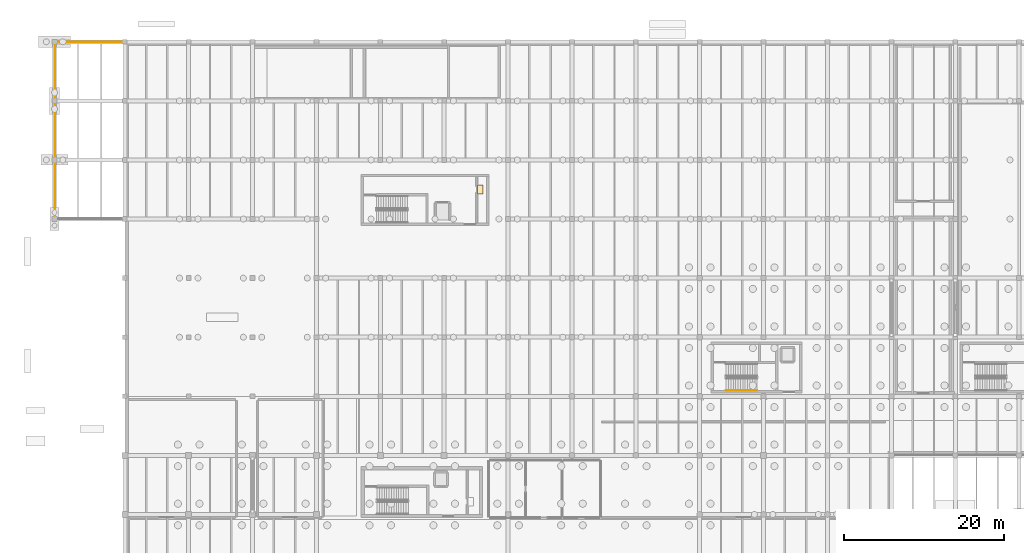
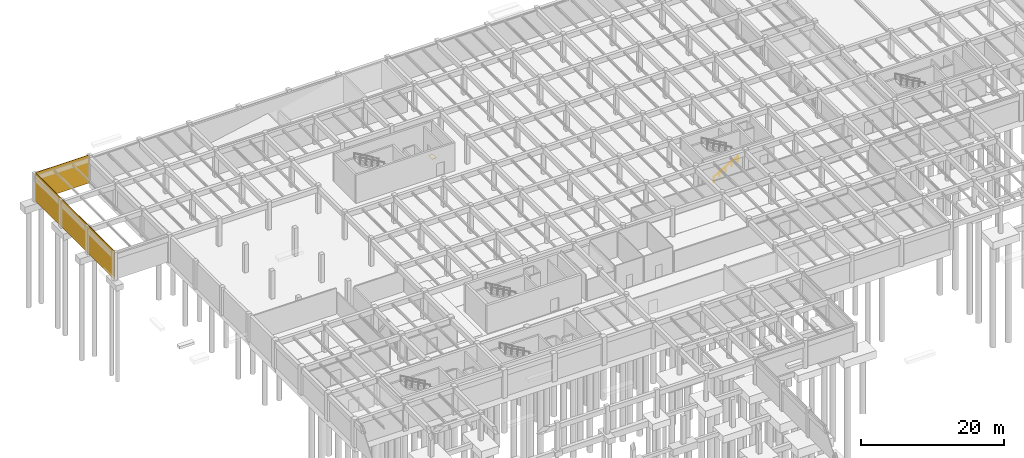
# One storey, part 34 of 40: 3 coverings, 1 railing.
"""IFC4 building model written with IfcOpenShell, lengths in metres."""

import ifcopenshell
import ifcopenshell.guid

model = None  # the IFC model being written
_history = None  # IfcOwnerHistory: only IFC2X3 demands one
_inside = {}  # id of a spatial element -> (the spatial element, [elements in it])
_under = {}  # id of a project, library or spatial element -> (it, [spatial elements below it])
_declared = {}  # id of a project -> (the project, [libraries it declares])
_typed = {}  # id of a type object -> (the type object, [elements of that type])
_made_of = {}  # id of a material, layer set ... -> (it, [elements and type objects made of it])


def new_model(schema):
    """Start an empty IFC model of exactly this schema.

    Asked for "IFC4X3", IfcOpenShell would pick the latest addendum, in which some entities
    have other attributes; the version numbers below select the first issue.
    IFC2X3 requires an IfcOwnerHistory on every rooted entity: one is made here for all.
    """
    global model, _history
    if schema == "IFC4X3":
        model = ifcopenshell.file(schema_version=(4, 3, 0, 0))
    else:
        model = ifcopenshell.file(schema=schema)
    _inside.clear()
    _under.clear()
    _declared.clear()
    _typed.clear()
    _made_of.clear()
    _history = None
    if model.schema == "IFC2X3":
        org = make("IfcOrganization", Name="unknown")
        user = make(
            "IfcPersonAndOrganization",
            ThePerson=make("IfcPerson", FamilyName="unknown"),
            TheOrganization=org,
        )
        app = make(
            "IfcApplication",
            ApplicationDeveloper=org,
            Version="unknown",
            ApplicationFullName="unknown",
            ApplicationIdentifier="unknown",
        )
        _history = make(
            "IfcOwnerHistory",
            OwningUser=user,
            OwningApplication=app,
            ChangeAction="ADDED",
            CreationDate=0,
        )
    return model


def make(cls, **values):
    """One entity of the class cls with the attributes given. An attribute that is None is left unset."""
    return model.create_entity(
        cls, **{name: value for name, value in values.items() if value is not None}
    )


def rooted(cls, **values):
    """An entity with a GlobalId (a new one), such as an element, a storey or a relation."""
    return make(cls, GlobalId=ifcopenshell.guid.new(), OwnerHistory=_history, **values)


def si_unit(unit_type, name, prefix=None):
    """IfcSIUnit, for example si_unit("LENGTHUNIT", "METRE", prefix="MILLI")."""
    return make("IfcSIUnit", UnitType=unit_type, Prefix=prefix, Name=name)


def assignment(units):
    """IfcUnitAssignment: the units of a project."""
    return None if units is None else make("IfcUnitAssignment", Units=units)


def point(xyz):
    """IfcCartesianPoint."""
    return None if xyz is None else make("IfcCartesianPoint", Coordinates=xyz)


def direction(xyz):
    """IfcDirection."""
    return None if xyz is None else make("IfcDirection", DirectionRatios=xyz)


def frame(location, z_axis=None, x_axis=None):
    """IfcAxis2Placement3D, a coordinate frame: its origin and axes. An axis left out is left unset."""
    return make(
        "IfcAxis2Placement3D",
        Location=point(location),
        Axis=direction(z_axis),
        RefDirection=direction(x_axis),
    )


def frame_2d(location, x_axis=None):
    """IfcAxis2Placement2D, a coordinate frame in the plane: its origin and x axis."""
    return make(
        "IfcAxis2Placement2D", Location=point(location), RefDirection=direction(x_axis)
    )


def origin():
    """The frame at (0, 0, 0) with its axes left unset."""
    return frame((0.0, 0.0, 0.0))


def origin_2d():
    """The frame at (0, 0) in the plane with its x axis left unset."""
    return frame_2d((0.0, 0.0))


def place(relative_to, where):
    """IfcLocalPlacement: puts the frame where relative to a parent placement (None: the world)."""
    return make(
        "IfcLocalPlacement", PlacementRelTo=relative_to, RelativePlacement=where
    )


def context(
    kind, dimensions, precision=None, world=None, true_north=None, identifier=None
):
    """IfcGeometricRepresentationContext, for example the 3D "Model" context."""
    return make(
        "IfcGeometricRepresentationContext",
        ContextIdentifier=identifier,
        ContextType=kind,
        CoordinateSpaceDimension=dimensions,
        Precision=precision,
        WorldCoordinateSystem=world,
        TrueNorth=true_north,
    )


def subcontext(parent, identifier, kind, view, scale=None):
    """IfcGeometricRepresentationSubContext, for example "Body" below "Model"."""
    return make(
        "IfcGeometricRepresentationSubContext",
        ContextIdentifier=identifier,
        ContextType=kind,
        ParentContext=parent,
        TargetScale=scale,
        TargetView=view,
    )


def project(units=None, contexts=None):
    """IfcProject with its units and contexts."""
    return rooted(
        "IfcProject",
        Name="project",
        RepresentationContexts=contexts,
        UnitsInContext=assignment(units),
    )


def spatial(cls, under=None, at=None, **own):
    """A site, building, storey or space (cls), placed at a placement, below another one or the project."""
    s = rooted(cls, ObjectPlacement=at, **own)
    if under is not None:
        _under.setdefault(under.id(), (under, []))[1].append(s)
    return s


def polyline(points):
    """IfcPolyline through the points."""
    return make("IfcPolyline", Points=[point(p) for p in points])


def profile(cls, at=None, kind="AREA", **sizes):
    """A parametric profile (cls). Its sizes go by their IFC names, for example OverallWidth=200.0."""
    return make(cls, ProfileType=kind, Position=at, **sizes)


def rectangle(**sizes):
    """IfcRectangleProfileDef."""
    return profile("IfcRectangleProfileDef", **sizes)


def circle(**sizes):
    """IfcCircleProfileDef."""
    return profile("IfcCircleProfileDef", **sizes)


def outline(outer, holes=None, kind="AREA"):
    """IfcArbitraryClosedProfileDef: a profile drawn as a closed curve; with holes, ...WithVoids."""
    if holes is None:
        return make("IfcArbitraryClosedProfileDef", ProfileType=kind, OuterCurve=outer)
    return make(
        "IfcArbitraryProfileDefWithVoids",
        ProfileType=kind,
        OuterCurve=outer,
        InnerCurves=holes,
    )


def extrude(swept, where, along, depth):
    """IfcExtrudedAreaSolid: the profile swept, set in the frame where, extruded along a direction by depth."""
    return make(
        "IfcExtrudedAreaSolid",
        SweptArea=swept,
        Position=where,
        ExtrudedDirection=direction(along),
        Depth=depth,
    )


def shape(context_of_items, identifier, shape_type, items):
    """IfcShapeRepresentation: the items that make up one representation, for example the "Body"."""
    return make(
        "IfcShapeRepresentation",
        ContextOfItems=context_of_items,
        RepresentationIdentifier=identifier,
        RepresentationType=shape_type,
        Items=items,
    )


def material(Name=None, Category=None):
    """IfcMaterial."""
    return make("IfcMaterial", Name=Name, Category=Category)


def layer(
    of_material, thickness, ventilated=None, Name=None, Category=None, Priority=None
):
    """IfcMaterialLayer: one layer of a wall or slab, of a material (None: an air gap)."""
    return make(
        "IfcMaterialLayer",
        Material=of_material,
        LayerThickness=thickness,
        IsVentilated=ventilated,
        Name=Name,
        Category=Category,
        Priority=Priority,
    )


def layer_set(layers, Name=None):
    """IfcMaterialLayerSet."""
    return make("IfcMaterialLayerSet", MaterialLayers=layers, LayerSetName=Name)


def made_of(thing, what):
    """Note that an element or type object is made of a material, layer set ...; save() writes the relation."""
    if what is not None:
        _made_of.setdefault(what.id(), (what, []))[1].append(thing)
    return thing


def type_object(cls, material=None, **own):
    """A type object (cls), such as IfcWallType, which elements share."""
    return made_of(rooted(cls, **own), material)


def element(
    cls,
    number,
    at=None,
    inside=None,
    cuts=None,
    type_object=None,
    material=None,
    context=None,
    identifier="Body",
    shape_type=None,
    held_by="IfcProductDefinitionShape",
    body=None,
    shapes=None,
    **own,
):
    """One element of the class cls, such as IfcWall. Its Tag is "e" and its number.

    at: its placement. inside: the storey or other place that contains it. cuts: it is an
    opening in that element (IfcRelVoidsElement). A single representation is given by context,
    identifier, shape_type and body (its items); several are given by shapes. held_by: the class
    of the entity that holds the representations. save() writes the other relations.
    """
    e = rooted(cls, Tag="e%d" % number, ObjectPlacement=at, **own)
    if body is not None:
        shapes = [shape(context, identifier, shape_type, body)]
    if shapes is not None:
        e.Representation = make(held_by, Representations=shapes)
    if inside is not None:
        _inside.setdefault(inside.id(), (inside, []))[1].append(e)
    if cuts is not None:
        rooted(
            "IfcRelVoidsElement", RelatingBuildingElement=cuts, RelatedOpeningElement=e
        )
    if type_object is not None:
        _typed.setdefault(type_object.id(), (type_object, []))[1].append(e)
    return made_of(e, material)


def aggregate(whole, parts):
    """IfcRelAggregates: a whole, such as a stair, and the parts it consists of."""
    return rooted("IfcRelAggregates", RelatingObject=whole, RelatedObjects=parts)


def save(model, path):
    """Write the relations noted so far, then the file.

    IfcRelAggregates (storeys below a building ...), IfcRelContainedInSpatialStructure (elements
    in a storey), IfcRelDefinesByType, IfcRelAssociatesMaterial and IfcRelDeclares: one each for
    every whole, place, type object, material and project.
    """
    for whole, parts in _under.values():
        aggregate(whole, parts)
    for where, things in _inside.values():
        rooted(
            "IfcRelContainedInSpatialStructure",
            RelatedElements=things,
            RelatingStructure=where,
        )
    for kind, things in _typed.values():
        rooted("IfcRelDefinesByType", RelatedObjects=things, RelatingType=kind)
    for what, things in _made_of.values():
        rooted("IfcRelAssociatesMaterial", RelatedObjects=things, RelatingMaterial=what)
    for by, libraries in _declared.values():
        rooted("IfcRelDeclares", RelatingContext=by, RelatedDefinitions=libraries)
    model.write(path)


model = new_model("IFC4")

# Units and contexts
model_context = context("Model", 3, precision=1e-05, world=origin(), true_north=direction((0.0, 1.0)))
body_context = subcontext(model_context, "Body", "Model", "MODEL_VIEW")
ifc_project = project(units=[si_unit("LENGTHUNIT", "METRE"), si_unit("AREAUNIT", "SQUARE_METRE"), si_unit("VOLUMEUNIT", "CUBIC_METRE"), si_unit("PLANEANGLEUNIT", "RADIAN"), si_unit("MASSUNIT", "GRAM", prefix="KILO")], contexts=[model_context])

# Site, building, storey
site_placement = place(None, origin())
site = spatial("IfcSite", under=ifc_project, at=site_placement, CompositionType="ELEMENT")
building_placement = place(site_placement, origin())
building = spatial("IfcBuilding", under=site, at=building_placement, Name="Valkorina Park Police Headquarters", CompositionType="ELEMENT")
storey_placement = place(building_placement, frame((0.0, 0.0, -4.800048828125)))
storey = spatial("IfcBuildingStorey", under=building, at=storey_placement, Name="B01", CompositionType="ELEMENT", Elevation=-4.800048828125)

# Coverings
ifc_material_1 = material(Name="Precast concrete C40/50", Category="concrete")
ifc_layer_1 = layer(ifc_material_1, 0.044921875)
ifc_layer_set_1 = layer_set([ifc_layer_1], Name="Precast concrete C40/50")
covering_type_1 = type_object("IfcCoveringType", Name="COV-CLAD-DOLOMITE", PredefinedType="CLADDING", material=ifc_layer_set_1)
covering_1_placement = place(storey_placement, frame((0.0400390625, 88.840087890625, 0.0), z_axis=(0.0, 0.0, 1.0), x_axis=(0.0, 1.0, 0.0)))
element("IfcCovering", 1, at=covering_1_placement, inside=storey, type_object=covering_type_1, Name="Substructure Frost Plinth Cladding 04", PredefinedType="CLADDING", context=body_context, shape_type="SweptSolid", body=[
    extrude(rectangle(XDim=22.119873046875, YDim=0.080078125, at=frame_2d((11.06005859375, 0.0))), origin(), (0.0, 0.0, 1.0), 4.800048828125),
])
covering_2_placement = place(storey_placement, frame((0.0400390625, 110.9599609375, 0.0), z_axis=(0.0, 0.0, 1.0), x_axis=(1.0, 0.0, 0.0)))
element("IfcCovering", 2, at=covering_2_placement, inside=storey, type_object=covering_type_1, Name="Substructure Frost Plinth Cladding 05", PredefinedType="CLADDING", context=body_context, shape_type="SweptSolid", body=[
    extrude(rectangle(XDim=8.719970703125, YDim=0.080078125, at=frame_2d((4.35986328125, 0.0))), origin(), (0.0, 0.0, 1.0), 4.800048828125),
])
ifc_material_2 = material(Name="Resin terrazzo flooring")
ifc_layer_2 = layer(ifc_material_2, 0.030029296875)
ifc_layer_set_2 = layer_set([ifc_layer_2], Name="Resin terrazzo flooring")
covering_type_2 = type_object("IfcCoveringType", Name="COV-FLOOR-TERRAZZO", PredefinedType="FLOORING", material=ifc_layer_set_2)
covering_3_placement = place(storey_placement, origin())
element("IfcCovering", 3, at=covering_3_placement, inside=storey, type_object=covering_type_2, Name="Core C4 B01 Riser Inspection Threshold Grate", PredefinedType="FLOORING", context=body_context, shape_type="SweptSolid", body=[
    extrude(outline(polyline([(53.679931640625, 91.949951171875), (53.679931640625, 93.050048828125), (52.97998046875, 93.050048828125), (52.97998046875, 91.949951171875), (53.679931640625, 91.949951171875)])), origin(), (0.0, 0.0, 1.0), 0.030029296875),
])

# Railing
ifc_material_3 = material(Name="Stainless steel EN 1.4404", Category="steel")
railing_type = type_object("IfcRailingType", Name="RL-HANDRAIL-900", PredefinedType="HANDRAIL", material=ifc_material_3)
railing_placement = place(storey_placement, frame((84.10009765625, 67.35009765625, 0.17138671875)))
element("IfcRailing", 4, at=railing_placement, inside=storey, type_object=railing_type, Name="B01 Core C6 Stair Handrail 1", PredefinedType="HANDRAIL", context=body_context, shape_type="SweptSolid", body=[
    extrude(circle(Radius=0.02392578125, at=origin_2d()), frame((0.0, 0.0, 0.8759765625), z_axis=(0.868219727965, 0.0, 0.496179910892), x_axis=(0.0, 1.0, 0.0)), (0.0, 0.0, 1.0), 4.491943359375),
    extrude(circle(Radius=0.02099609375, at=origin_2d()), origin(), (0.0, 0.0, 1.0), 0.851806640625),
    extrude(circle(Radius=0.02099609375, at=origin_2d()), frame((0.97509765625, 0.0, 0.55712890625)), (0.0, 0.0, 1.0), 0.851806640625),
    extrude(circle(Radius=0.02099609375, at=origin_2d()), frame((1.949951171875, 0.0, 1.1142578125)), (0.0, 0.0, 1.0), 0.851806640625),
    extrude(circle(Radius=0.02099609375, at=origin_2d()), frame((2.9248046875, 0.0, 1.671630859375)), (0.0, 0.0, 1.0), 0.851806640625),
    extrude(circle(Radius=0.02099609375, at=origin_2d()), frame((3.89990234375, 0.0, 2.228759765625)), (0.0, 0.0, 1.0), 0.851806640625),
])

save(model, "model.ifc")
